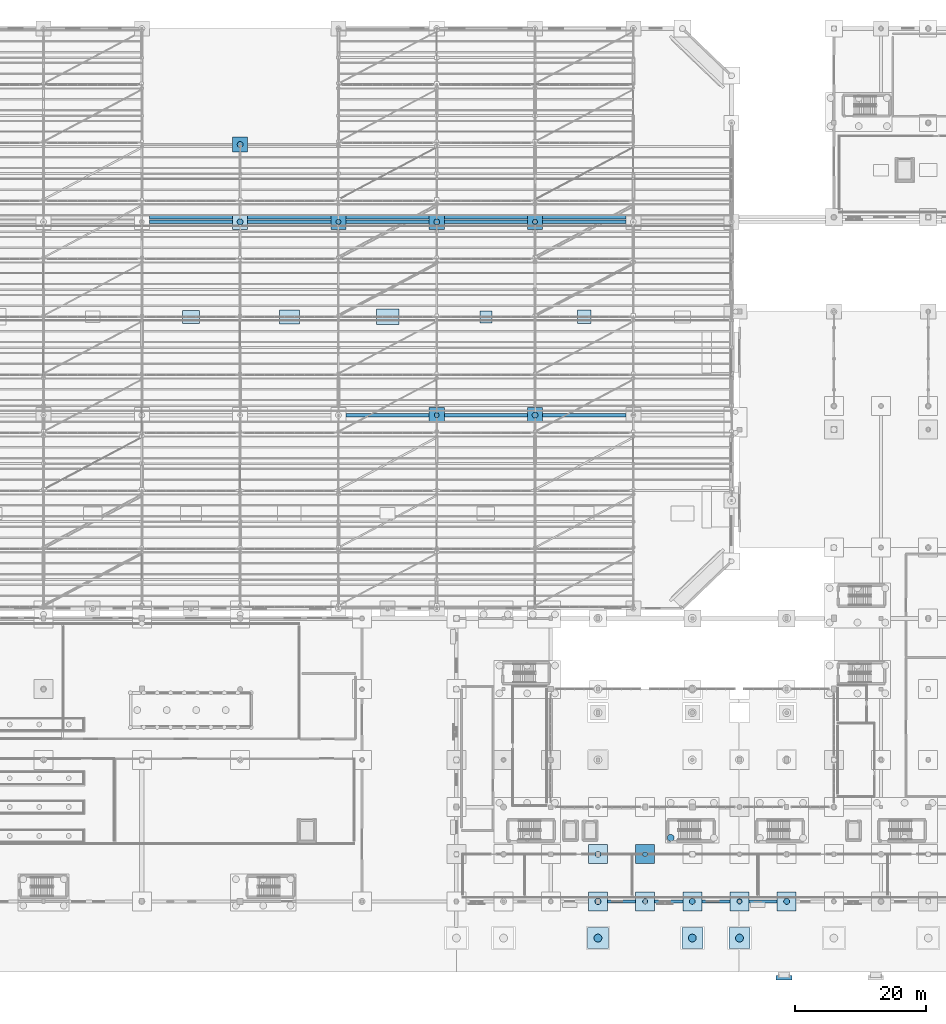
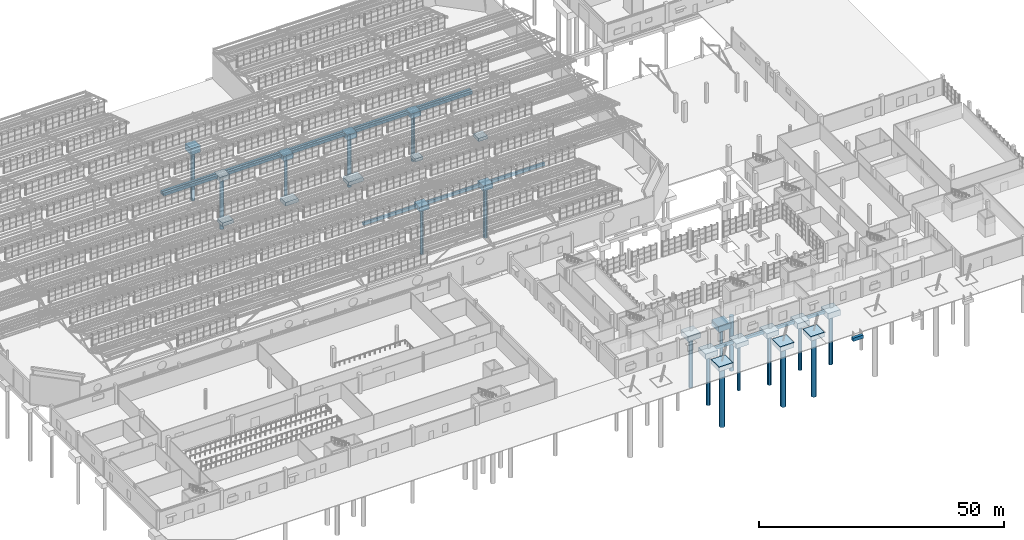
# One storey, part 5 of 285: 40 footings, 18 piles.
"""IFC4 building model written with IfcOpenShell, lengths in metres."""

from ifc_helpers import new_model, si_unit, direction, frame, origin, origin_2d, place, context, subcontext, project, spatial, polyline, circle, outline, extrude, material, material_profile, profile_set, type_object, element, save


model = new_model("IFC4")

# Units and contexts
model_context = context("Model", 3, precision=1e-05, world=origin(), true_north=direction((0.0, 1.0)))
body_context = subcontext(model_context, "Body", "Model", "MODEL_VIEW")
ifc_project = project(units=[si_unit("LENGTHUNIT", "METRE"), si_unit("AREAUNIT", "SQUARE_METRE"), si_unit("VOLUMEUNIT", "CUBIC_METRE"), si_unit("PLANEANGLEUNIT", "RADIAN"), si_unit("MASSUNIT", "GRAM", prefix="KILO")], contexts=[model_context])

# Site, building, storey
site_placement = place(None, origin())
site = spatial("IfcSite", under=ifc_project, at=site_placement, CompositionType="ELEMENT")
building_placement = place(site_placement, origin())
building = spatial("IfcBuilding", under=site, at=building_placement, Name="Solanera Park Tramway Depot", CompositionType="ELEMENT")
storey_placement = place(building_placement, origin())
storey = spatial("IfcBuildingStorey", under=building, at=storey_placement, Name="L00", CompositionType="ELEMENT", Elevation=0.0)

# Footings
ifc_material_1 = material(Name="Concrete N40 (C40/50)", Category="concrete")
footing_type_1 = type_object("IfcFootingType", Name="Bored Pile Cap PC-03 2900x2900x1100", PredefinedType="PILE_CAP", material=ifc_material_1)
footing_1_placement = place(storey_placement, frame((0.0, 0.0, -1.550048828125)))
element("IfcFooting", 1, at=footing_1_placement, inside=storey, type_object=footing_type_1, Name="Pile Cap PC-03 #164", PredefinedType="PILE_CAP", context=body_context, shape_type="SweptSolid", body=[
    extrude(outline(polyline([(76.14990234375, 113.35009765625), (76.14990234375, 115.64990234375), (73.85009765625, 115.64990234375), (73.85009765625, 113.35009765625), (76.14990234375, 113.35009765625)])), origin(), (0.0, 0.0, 1.0), 1.10009765625),
])
ifc_material_2 = material(Name="Concrete N40 (C40/50)", Category="concrete")
footing_type_2 = type_object("IfcFootingType", Name="Bored Pile Cap PC-04 3200x3200x1200", PredefinedType="PILE_CAP", material=ifc_material_2)
footing_2_placement = place(storey_placement, frame((0.0, 0.0, -1.199951171875)))
element("IfcFooting", 2, at=footing_2_placement, inside=storey, type_object=footing_type_2, Name="Pile Cap PC-04 #003", PredefinedType="PILE_CAP", context=body_context, shape_type="SweptSolid", body=[
    extrude(outline(polyline([(131.199951171875, 3.60693359375), (131.199951171875, 6.806884765625), (128.0, 6.806884765625), (128.0, 3.60693359375), (131.199951171875, 3.60693359375)])), origin(), (0.0, 0.0, 1.0), 1.199951171875),
])
footing_3_placement = place(storey_placement, frame((0.0, 0.0, -1.64990234375)))
element("IfcFooting", 3, at=footing_3_placement, inside=storey, type_object=footing_type_2, Name="Pile Cap PC-04 #147", PredefinedType="PILE_CAP", context=body_context, shape_type="SweptSolid", body=[
    extrude(outline(polyline([(106.14990234375, 83.85009765625), (106.14990234375, 86.14990234375), (103.85009765625, 86.14990234375), (103.85009765625, 83.85009765625), (106.14990234375, 83.85009765625)])), origin(), (0.0, 0.0, 1.0), 1.199951171875),
])
footing_4_placement = place(storey_placement, frame((0.0, 0.0, -1.64990234375)))
element("IfcFooting", 4, at=footing_4_placement, inside=storey, type_object=footing_type_2, Name="Pile Cap PC-04 #165", PredefinedType="PILE_CAP", context=body_context, shape_type="SweptSolid", body=[
    extrude(outline(polyline([(91.14990234375, 113.35009765625), (91.14990234375, 115.64990234375), (88.85009765625, 115.64990234375), (88.85009765625, 113.35009765625), (91.14990234375, 113.35009765625)])), origin(), (0.0, 0.0, 1.0), 1.199951171875),
])
ifc_material_3 = material(Name="Concrete N40 (C40/50)", Category="concrete")
footing_type_3 = type_object("IfcFootingType", Name="Bored Pile Cap PC-05 3500x3500x1300", PredefinedType="PILE_CAP", material=ifc_material_3)
footing_5_placement = place(storey_placement, frame((0.0, 0.0, -1.300048828125)))
element("IfcFooting", 5, at=footing_5_placement, inside=storey, type_object=footing_type_3, Name="Pile Cap PC-05 #004", PredefinedType="PILE_CAP", context=body_context, shape_type="SweptSolid", body=[
    extrude(outline(polyline([(145.60009765625, 3.60693359375), (145.60009765625, 6.806884765625), (142.39990234375, 6.806884765625), (142.39990234375, 3.60693359375), (145.60009765625, 3.60693359375)])), origin(), (0.0, 0.0, 1.0), 1.300048828125),
])
footing_6_placement = place(storey_placement, frame((0.0, 0.0, -1.64990234375)))
element("IfcFooting", 6, at=footing_6_placement, inside=storey, type_object=footing_type_3, Name="Pile Cap PC-05 #022", PredefinedType="PILE_CAP", context=body_context, shape_type="SweptSolid", body=[
    extrude(outline(polyline([(131.050048828125, 9.35009765625), (131.050048828125, 12.25), (128.14990234375, 12.25), (128.14990234375, 9.35009765625), (131.050048828125, 9.35009765625)])), origin(), (0.0, 0.0, 1.0), 1.2998046875),
])
footing_7_placement = place(storey_placement, frame((0.0, 0.0, -1.75)))
element("IfcFooting", 7, at=footing_7_placement, inside=storey, type_object=footing_type_3, Name="Pile Cap PC-05 #148", PredefinedType="PILE_CAP", context=body_context, shape_type="SweptSolid", body=[
    extrude(outline(polyline([(121.14990234375, 83.85009765625), (121.14990234375, 86.14990234375), (118.85009765625, 86.14990234375), (118.85009765625, 83.85009765625), (121.14990234375, 83.85009765625)])), origin(), (0.0, 0.0, 1.0), 1.300048828125),
])
footing_8_placement = place(storey_placement, frame((0.0, 0.0, -1.75)))
element("IfcFooting", 8, at=footing_8_placement, inside=storey, type_object=footing_type_3, Name="Pile Cap PC-05 #166", PredefinedType="PILE_CAP", context=body_context, shape_type="SweptSolid", body=[
    extrude(outline(polyline([(106.14990234375, 113.35009765625), (106.14990234375, 115.64990234375), (103.85009765625, 115.64990234375), (103.85009765625, 113.35009765625), (106.14990234375, 113.35009765625)])), origin(), (0.0, 0.0, 1.0), 1.300048828125),
])
ifc_material_4 = material(Name="Concrete N40 (C40/50)", Category="concrete")
footing_type_4 = type_object("IfcFootingType", Name="Bored Pile Cap PC-06 3800x2600x1150", PredefinedType="PILE_CAP", material=ifc_material_4)
footing_9_placement = place(storey_placement, frame((0.0, 0.0, -1.14990234375)))
element("IfcFooting", 9, at=footing_9_placement, inside=storey, type_object=footing_type_4, Name="Pile Cap PC-06 #005", PredefinedType="PILE_CAP", context=body_context, shape_type="SweptSolid", body=[
    extrude(outline(polyline([(152.800048828125, 3.60693359375), (152.800048828125, 6.806884765625), (149.60009765625, 6.806884765625), (149.60009765625, 3.60693359375), (152.800048828125, 3.60693359375)])), origin(), (0.0, 0.0, 1.0), 1.14990234375),
])
footing_10_placement = place(storey_placement, frame((0.0, 0.0, -1.5)))
element("IfcFooting", 10, at=footing_10_placement, inside=storey, type_object=footing_type_4, Name="Pile Cap PC-06 #023", PredefinedType="PILE_CAP", context=body_context, shape_type="SweptSolid", body=[
    extrude(outline(polyline([(138.25, 9.35009765625), (138.25, 12.25), (135.35009765625, 12.25), (135.35009765625, 9.35009765625), (138.25, 9.35009765625)])), origin(), (0.0, 0.0, 1.0), 1.14990234375),
])
footing_11_placement = place(storey_placement, frame((0.0, 0.0, -1.60009765625)))
element("IfcFooting", 11, at=footing_11_placement, inside=storey, type_object=footing_type_4, Name="Pile Cap PC-06 #167", PredefinedType="PILE_CAP", context=body_context, shape_type="SweptSolid", body=[
    extrude(outline(polyline([(121.14990234375, 113.35009765625), (121.14990234375, 115.64990234375), (118.85009765625, 115.64990234375), (118.85009765625, 113.35009765625), (121.14990234375, 113.35009765625)])), origin(), (0.0, 0.0, 1.0), 1.150146484375),
])
ifc_material_5 = material(Name="Concrete N40 (C40/50)", Category="concrete")
footing_type_5 = type_object("IfcFootingType", Name="Bored Pile Cap PC-07 4200x2900x1250", PredefinedType="PILE_CAP", material=ifc_material_5)
footing_12_placement = place(storey_placement, frame((0.0, 0.0, -1.60009765625)))
element("IfcFooting", 12, at=footing_12_placement, inside=storey, type_object=footing_type_5, Name="Pile Cap PC-07 #024", PredefinedType="PILE_CAP", context=body_context, shape_type="SweptSolid", body=[
    extrude(outline(polyline([(145.449951171875, 9.35009765625), (145.449951171875, 12.25), (142.550048828125, 12.25), (142.550048828125, 9.35009765625), (145.449951171875, 9.35009765625)])), origin(), (0.0, 0.0, 1.0), 1.25),
])
ifc_material_6 = material(Name="Concrete N40 (C40/50)", Category="concrete")
footing_type_6 = type_object("IfcFootingType", Name="Bored Pile Cap PC-08 4600x3200x1350", PredefinedType="PILE_CAP", material=ifc_material_6)
footing_13_placement = place(storey_placement, frame((0.0, 0.0, -1.699951171875)))
element("IfcFooting", 13, at=footing_13_placement, inside=storey, type_object=footing_type_6, Name="Pile Cap PC-08 #025", PredefinedType="PILE_CAP", context=body_context, shape_type="SweptSolid", body=[
    extrude(outline(polyline([(152.64990234375, 9.35009765625), (152.64990234375, 12.25), (149.75, 12.25), (149.75, 9.35009765625), (152.64990234375, 9.35009765625)])), origin(), (0.0, 0.0, 1.0), 1.349853515625),
])
ifc_material_7 = material(Name="Concrete N40 (C40/50)", Category="concrete")
footing_type_7 = type_object("IfcFootingType", Name="Bored Pile Cap PC-09 5200x3400x1400", PredefinedType="PILE_CAP", material=ifc_material_7)
footing_14_placement = place(storey_placement, frame((0.0, 0.0, -1.75)))
element("IfcFooting", 14, at=footing_14_placement, inside=storey, type_object=footing_type_7, Name="Pile Cap PC-09 #026", PredefinedType="PILE_CAP", context=body_context, shape_type="SweptSolid", body=[
    extrude(outline(polyline([(159.85009765625, 9.35009765625), (159.85009765625, 12.25), (156.949951171875, 12.25), (156.949951171875, 9.35009765625), (159.85009765625, 9.35009765625)])), origin(), (0.0, 0.0, 1.0), 1.39990234375),
])
ifc_material_8 = material(Name="Concrete N40 (C40/50)", Category="concrete")
footing_type_8 = type_object("IfcFootingType", Name="Bored Pile Cap PC-13 8400x4800x1600", PredefinedType="PILE_CAP", material=ifc_material_8)
footing_15_placement = place(storey_placement, frame((0.0, 0.0, -2.050048828125)))
element("IfcFooting", 15, at=footing_15_placement, inside=storey, type_object=footing_type_8, Name="Pile Cap PC-13 #174", PredefinedType="PILE_CAP", context=body_context, shape_type="SweptSolid", body=[
    extrude(outline(polyline([(76.14990234375, 125.14990234375), (76.14990234375, 127.449951171875), (73.85009765625, 127.449951171875), (73.85009765625, 125.14990234375), (76.14990234375, 125.14990234375)])), origin(), (0.0, 0.0, 1.0), 1.60009765625),
])
ifc_material_9 = material(Name="Concrete N40 (C40/50)", Category="concrete")
footing_type_9 = type_object("IfcFootingType", Name="Bored Pile Cap PC-17 4900x3100x1300", PredefinedType="PILE_CAP", material=ifc_material_9)
footing_16_placement = place(storey_placement, frame((0.0, 0.0, -1.64990234375)))
element("IfcFooting", 16, at=footing_16_placement, inside=storey, type_object=footing_type_9, Name="Pile Cap PC-17 #034", PredefinedType="PILE_CAP", context=body_context, shape_type="SweptSolid", body=[
    extrude(outline(polyline([(131.050048828125, 16.550048828125), (131.050048828125, 19.449951171875), (128.14990234375, 19.449951171875), (128.14990234375, 16.550048828125), (131.050048828125, 16.550048828125)])), origin(), (0.0, 0.0, 1.0), 1.2998046875),
])
ifc_material_10 = material(Name="Concrete N40 (C40/50)", Category="concrete")
footing_type_10 = type_object("IfcFootingType", Name="Bored Pile Cap PC-18 6200x3900x1480", PredefinedType="PILE_CAP", material=ifc_material_10)
footing_17_placement = place(storey_placement, frame((0.0, 0.0, -1.830078125)))
element("IfcFooting", 17, at=footing_17_placement, inside=storey, type_object=footing_type_10, Name="Pile Cap PC-18 #035", PredefinedType="PILE_CAP", context=body_context, shape_type="SweptSolid", body=[
    extrude(outline(polyline([(138.25, 16.550048828125), (138.25, 19.449951171875), (135.35009765625, 19.449951171875), (135.35009765625, 16.550048828125), (138.25, 16.550048828125)])), origin(), (0.0, 0.0, 1.0), 1.47998046875),
])
ifc_material_11 = material(Name="Concrete N40 (C40/50)", Category="concrete")
footing_type_11 = type_object("IfcFootingType", Name="Equipment Pad Footing PF-01 1800x1800x700", PredefinedType="PAD_FOOTING", material=ifc_material_11)
footing_18_placement = place(storey_placement, frame((0.0, 0.0, -1.14990234375)))
element("IfcFooting", 18, at=footing_18_placement, inside=storey, type_object=footing_type_11, Name="Equipment Pad Footing PF-01 #018", PredefinedType="PAD_FOOTING", context=body_context, shape_type="SweptSolid", body=[
    extrude(outline(polyline([(113.39990234375, 99.10009765625), (113.39990234375, 100.89990234375), (111.60009765625, 100.89990234375), (111.60009765625, 99.10009765625), (113.39990234375, 99.10009765625)])), origin(), (0.0, 0.0, 1.0), 0.699951171875),
])
ifc_material_12 = material(Name="Concrete N40 (C40/50)", Category="concrete")
footing_type_12 = type_object("IfcFootingType", Name="Equipment Pad Footing PF-02 2100x2100x750", PredefinedType="PAD_FOOTING", material=ifc_material_12)
footing_19_placement = place(storey_placement, frame((0.0, 0.0, -1.199951171875)))
element("IfcFooting", 19, at=footing_19_placement, inside=storey, type_object=footing_type_12, Name="Equipment Pad Footing PF-02 #019", PredefinedType="PAD_FOOTING", context=body_context, shape_type="SweptSolid", body=[
    extrude(outline(polyline([(128.550048828125, 98.949951171875), (128.550048828125, 101.050048828125), (126.449951171875, 101.050048828125), (126.449951171875, 98.949951171875), (128.550048828125, 98.949951171875)])), origin(), (0.0, 0.0, 1.0), 0.75),
])
ifc_material_13 = material(Name="Concrete N40 (C40/50)", Category="concrete")
footing_type_13 = type_object("IfcFootingType", Name="Equipment Pad Footing PF-03 2400x1800x800", PredefinedType="PAD_FOOTING", material=ifc_material_13)
footing_20_placement = place(storey_placement, frame((0.0, 0.0, -0.860107421875)))
element("IfcFooting", 20, at=footing_20_placement, inside=storey, type_object=footing_type_13, Name="Ramp Toe Pad Footing RMP-P03", PredefinedType="PAD_FOOTING", context=body_context, shape_type="SweptSolid", body=[
    extrude(outline(polyline([(156.800048828125, -1.18994140625), (159.199951171875, -1.18994140625), (159.199951171875, -0.489990234375), (156.800048828125, -0.489990234375), (156.800048828125, -1.18994140625)])), origin(), (0.0, 0.0, 1.0), 0.820068359375),
])
ifc_material_14 = material(Name="Concrete N40 (C40/50)", Category="concrete")
footing_type_14 = type_object("IfcFootingType", Name="Equipment Pad Footing PF-08 2650x1950x820", PredefinedType="PAD_FOOTING", material=ifc_material_14)
footing_21_placement = place(storey_placement, frame((0.0, 0.0, -1.27001953125)))
element("IfcFooting", 21, at=footing_21_placement, inside=storey, type_object=footing_type_14, Name="Equipment Pad Footing PF-08 #015", PredefinedType="PAD_FOOTING", context=body_context, shape_type="SweptSolid", body=[
    extrude(outline(polyline([(68.824951171875, 99.02490234375), (68.824951171875, 100.97509765625), (66.175048828125, 100.97509765625), (66.175048828125, 99.02490234375), (68.824951171875, 99.02490234375)])), origin(), (0.0, 0.0, 1.0), 0.820068359375),
])
ifc_material_15 = material(Name="Concrete N40 (C40/50)", Category="concrete")
footing_type_15 = type_object("IfcFootingType", Name="Equipment Pad Footing PF-09 3050x2150x880", PredefinedType="PAD_FOOTING", material=ifc_material_15)
footing_22_placement = place(storey_placement, frame((0.0, 0.0, -1.330078125)))
element("IfcFooting", 22, at=footing_22_placement, inside=storey, type_object=footing_type_15, Name="Equipment Pad Footing PF-09 #016", PredefinedType="PAD_FOOTING", context=body_context, shape_type="SweptSolid", body=[
    extrude(outline(polyline([(84.02490234375, 98.925048828125), (84.02490234375, 101.074951171875), (80.97509765625, 101.074951171875), (80.97509765625, 98.925048828125), (84.02490234375, 98.925048828125)])), origin(), (0.0, 0.0, 1.0), 0.880126953125),
])
ifc_material_16 = material(Name="Concrete N40 (C40/50)", Category="concrete")
footing_type_16 = type_object("IfcFootingType", Name="Equipment Pad Footing PF-10 3450x2350x920", PredefinedType="PAD_FOOTING", material=ifc_material_16)
footing_23_placement = place(storey_placement, frame((0.0, 0.0, -1.3701171875)))
element("IfcFooting", 23, at=footing_23_placement, inside=storey, type_object=footing_type_16, Name="Equipment Pad Footing PF-10 #017", PredefinedType="PAD_FOOTING", context=body_context, shape_type="SweptSolid", body=[
    extrude(outline(polyline([(99.22509765625, 98.824951171875), (99.22509765625, 101.175048828125), (95.77490234375, 101.175048828125), (95.77490234375, 98.824951171875), (99.22509765625, 98.824951171875)])), origin(), (0.0, 0.0, 1.0), 0.920166015625),
])
ifc_material_17 = material(Name="Concrete N40 (C40/50)", Category="concrete")
footing_type_17 = type_object("IfcFootingType", Name="Ground Tie Beam GB-01 500x700", PredefinedType="FOOTING_BEAM", material=ifc_material_17)
footing_24_placement = place(storey_placement, frame((0.0, 0.0, -1.050048828125)))
element("IfcFooting", 24, at=footing_24_placement, inside=storey, type_object=footing_type_17, Name="Ground Tie Beam GB-01 #011", PredefinedType="FOOTING_BEAM", context=body_context, shape_type="SweptSolid", body=[
    extrude(outline(polyline([(135.35009765625, 10.550048828125), (135.35009765625, 11.050048828125), (131.050048828125, 11.050048828125), (131.050048828125, 10.550048828125), (135.35009765625, 10.550048828125)])), origin(), (0.0, 0.0, 1.0), 0.699951171875),
])
footing_25_placement = place(storey_placement, frame((0.0, 0.0, -1.050048828125)))
element("IfcFooting", 25, at=footing_25_placement, inside=storey, type_object=footing_type_17, Name="Ground Tie Beam GB-01 #012", PredefinedType="FOOTING_BEAM", context=body_context, shape_type="SweptSolid", body=[
    extrude(outline(polyline([(142.550048828125, 10.550048828125), (142.550048828125, 11.050048828125), (138.25, 11.050048828125), (138.25, 10.550048828125), (142.550048828125, 10.550048828125)])), origin(), (0.0, 0.0, 1.0), 0.699951171875),
])
footing_26_placement = place(storey_placement, frame((0.0, 0.0, -1.050048828125)))
element("IfcFooting", 26, at=footing_26_placement, inside=storey, type_object=footing_type_17, Name="Ground Tie Beam GB-01 #013", PredefinedType="FOOTING_BEAM", context=body_context, shape_type="SweptSolid", body=[
    extrude(outline(polyline([(149.75, 10.550048828125), (149.75, 11.050048828125), (145.449951171875, 11.050048828125), (145.449951171875, 10.550048828125), (149.75, 10.550048828125)])), origin(), (0.0, 0.0, 1.0), 0.699951171875),
])
footing_27_placement = place(storey_placement, frame((0.0, 0.0, -1.050048828125)))
element("IfcFooting", 27, at=footing_27_placement, inside=storey, type_object=footing_type_17, Name="Ground Tie Beam GB-01 #014", PredefinedType="FOOTING_BEAM", context=body_context, shape_type="SweptSolid", body=[
    extrude(outline(polyline([(156.949951171875, 10.550048828125), (156.949951171875, 11.050048828125), (152.64990234375, 11.050048828125), (152.64990234375, 10.550048828125), (156.949951171875, 10.550048828125)])), origin(), (0.0, 0.0, 1.0), 0.699951171875),
])
footing_28_placement = place(storey_placement, frame((0.0, 0.0, -1.14990234375)))
element("IfcFooting", 28, at=footing_28_placement, inside=storey, type_object=footing_type_17, Name="Ground Tie Beam GB-01 #061", PredefinedType="FOOTING_BEAM", context=body_context, shape_type="SweptSolid", body=[
    extrude(outline(polyline([(103.85009765625, 84.75), (103.85009765625, 85.25), (91.14990234375, 85.25), (91.14990234375, 84.75), (103.85009765625, 84.75)])), origin(), (0.0, 0.0, 1.0), 0.699951171875),
])
footing_29_placement = place(storey_placement, frame((0.0, 0.0, -1.14990234375)))
element("IfcFooting", 29, at=footing_29_placement, inside=storey, type_object=footing_type_17, Name="Ground Tie Beam GB-01 #062", PredefinedType="FOOTING_BEAM", context=body_context, shape_type="SweptSolid", body=[
    extrude(outline(polyline([(118.85009765625, 84.75), (118.85009765625, 85.25), (106.14990234375, 85.25), (106.14990234375, 84.75), (118.85009765625, 84.75)])), origin(), (0.0, 0.0, 1.0), 0.699951171875),
])
footing_30_placement = place(storey_placement, frame((0.0, 0.0, -1.14990234375)))
element("IfcFooting", 30, at=footing_30_placement, inside=storey, type_object=footing_type_17, Name="Ground Tie Beam GB-01 #063", PredefinedType="FOOTING_BEAM", context=body_context, shape_type="SweptSolid", body=[
    extrude(outline(polyline([(133.85009765625, 84.75), (133.85009765625, 85.25), (121.14990234375, 85.25), (121.14990234375, 84.75), (133.85009765625, 84.75)])), origin(), (0.0, 0.0, 1.0), 0.699951171875),
])
ifc_material_18 = material(Name="Concrete N40 (C40/50)", Category="concrete")
footing_type_18 = type_object("IfcFootingType", Name="Ground Tie Beam GB-02 550x750", PredefinedType="FOOTING_BEAM", material=ifc_material_18)
footing_31_placement = place(storey_placement, frame((0.0, 0.0, -1.199951171875)))
element("IfcFooting", 31, at=footing_31_placement, inside=storey, type_object=footing_type_18, Name="Ground Tie Beam GB-02 #069", PredefinedType="FOOTING_BEAM", context=body_context, shape_type="SweptSolid", body=[
    extrude(outline(polyline([(73.85009765625, 114.22509765625), (73.85009765625, 114.77490234375), (61.14990234375, 114.77490234375), (61.14990234375, 114.22509765625), (73.85009765625, 114.22509765625)])), origin(), (0.0, 0.0, 1.0), 0.75),
])
footing_32_placement = place(storey_placement, frame((0.0, 0.0, -1.199951171875)))
element("IfcFooting", 32, at=footing_32_placement, inside=storey, type_object=footing_type_18, Name="Ground Tie Beam GB-02 #070", PredefinedType="FOOTING_BEAM", context=body_context, shape_type="SweptSolid", body=[
    extrude(outline(polyline([(88.85009765625, 114.22509765625), (88.85009765625, 114.77490234375), (76.14990234375, 114.77490234375), (76.14990234375, 114.22509765625), (88.85009765625, 114.22509765625)])), origin(), (0.0, 0.0, 1.0), 0.75),
])
footing_33_placement = place(storey_placement, frame((0.0, 0.0, -1.199951171875)))
element("IfcFooting", 33, at=footing_33_placement, inside=storey, type_object=footing_type_18, Name="Ground Tie Beam GB-02 #071", PredefinedType="FOOTING_BEAM", context=body_context, shape_type="SweptSolid", body=[
    extrude(outline(polyline([(103.85009765625, 114.22509765625), (103.85009765625, 114.77490234375), (91.14990234375, 114.77490234375), (91.14990234375, 114.22509765625), (103.85009765625, 114.22509765625)])), origin(), (0.0, 0.0, 1.0), 0.75),
])
footing_34_placement = place(storey_placement, frame((0.0, 0.0, -1.199951171875)))
element("IfcFooting", 34, at=footing_34_placement, inside=storey, type_object=footing_type_18, Name="Ground Tie Beam GB-02 #072", PredefinedType="FOOTING_BEAM", context=body_context, shape_type="SweptSolid", body=[
    extrude(outline(polyline([(118.85009765625, 114.22509765625), (118.85009765625, 114.77490234375), (106.14990234375, 114.77490234375), (106.14990234375, 114.22509765625), (118.85009765625, 114.22509765625)])), origin(), (0.0, 0.0, 1.0), 0.75),
])
footing_35_placement = place(storey_placement, frame((0.0, 0.0, -1.199951171875)))
element("IfcFooting", 35, at=footing_35_placement, inside=storey, type_object=footing_type_18, Name="Ground Tie Beam GB-02 #073", PredefinedType="FOOTING_BEAM", context=body_context, shape_type="SweptSolid", body=[
    extrude(outline(polyline([(133.85009765625, 114.22509765625), (133.85009765625, 114.77490234375), (121.14990234375, 114.77490234375), (121.14990234375, 114.22509765625), (133.85009765625, 114.22509765625)])), origin(), (0.0, 0.0, 1.0), 0.75),
])
ifc_material_19 = material(Name="Concrete N40 (C40/50)", Category="concrete")
footing_type_19 = type_object("IfcFootingType", Name="Ground Tie Beam GB-03 600x800", PredefinedType="FOOTING_BEAM", material=ifc_material_19)
footing_36_placement = place(storey_placement, frame((0.0, 0.0, -1.25)))
element("IfcFooting", 36, at=footing_36_placement, inside=storey, type_object=footing_type_19, Name="Ground Tie Beam GB-03 #082", PredefinedType="FOOTING_BEAM", context=body_context, shape_type="SweptSolid", body=[
    extrude(outline(polyline([(73.85009765625, 114.89990234375), (73.85009765625, 115.5), (61.14990234375, 115.5), (61.14990234375, 114.89990234375), (73.85009765625, 114.89990234375)])), origin(), (0.0, 0.0, 1.0), 0.800048828125),
])
footing_37_placement = place(storey_placement, frame((0.0, 0.0, -1.25)))
element("IfcFooting", 37, at=footing_37_placement, inside=storey, type_object=footing_type_19, Name="Ground Tie Beam GB-03 #083", PredefinedType="FOOTING_BEAM", context=body_context, shape_type="SweptSolid", body=[
    extrude(outline(polyline([(88.85009765625, 114.89990234375), (88.85009765625, 115.5), (76.14990234375, 115.5), (76.14990234375, 114.89990234375), (88.85009765625, 114.89990234375)])), origin(), (0.0, 0.0, 1.0), 0.800048828125),
])
footing_38_placement = place(storey_placement, frame((0.0, 0.0, -1.25)))
element("IfcFooting", 38, at=footing_38_placement, inside=storey, type_object=footing_type_19, Name="Ground Tie Beam GB-03 #084", PredefinedType="FOOTING_BEAM", context=body_context, shape_type="SweptSolid", body=[
    extrude(outline(polyline([(103.85009765625, 114.89990234375), (103.85009765625, 115.5), (91.14990234375, 115.5), (91.14990234375, 114.89990234375), (103.85009765625, 114.89990234375)])), origin(), (0.0, 0.0, 1.0), 0.800048828125),
])
footing_39_placement = place(storey_placement, frame((0.0, 0.0, -1.25)))
element("IfcFooting", 39, at=footing_39_placement, inside=storey, type_object=footing_type_19, Name="Ground Tie Beam GB-03 #085", PredefinedType="FOOTING_BEAM", context=body_context, shape_type="SweptSolid", body=[
    extrude(outline(polyline([(118.85009765625, 114.89990234375), (118.85009765625, 115.5), (106.14990234375, 115.5), (106.14990234375, 114.89990234375), (118.85009765625, 114.89990234375)])), origin(), (0.0, 0.0, 1.0), 0.800048828125),
])
footing_40_placement = place(storey_placement, frame((0.0, 0.0, -1.25)))
element("IfcFooting", 40, at=footing_40_placement, inside=storey, type_object=footing_type_19, Name="Ground Tie Beam GB-03 #086", PredefinedType="FOOTING_BEAM", context=body_context, shape_type="SweptSolid", body=[
    extrude(outline(polyline([(133.85009765625, 114.89990234375), (133.85009765625, 115.5), (121.14990234375, 115.5), (121.14990234375, 114.89990234375), (133.85009765625, 114.89990234375)])), origin(), (0.0, 0.0, 1.0), 0.800048828125),
])

# Piles
ifc_material_20 = material(Name="Concrete N40 (C40/50)", Category="concrete")
ifc_material_profile_1 = material_profile(ifc_material_20, circle(Radius=0.52490234375, at=origin_2d()), Name="BORED PILE 1050")
ifc_profile_set_1 = profile_set([ifc_material_profile_1], Name="Concrete N40 (C40/50)")
pile_type_1 = type_object("IfcPileType", Name="Rock Socketed BORED PILE 1050", PredefinedType="BORED", material=ifc_profile_set_1)
pile_1_placement = place(storey_placement, frame((140.705078125, 20.5048828125, -1.85009765625), z_axis=(0.0, 0.0, -1.0), x_axis=(1.0, 0.0, 0.0)))
element("IfcPile", 41, at=pile_1_placement, inside=storey, type_object=pile_type_1, Name="Bored Pile BORED PILE 1050 #0059", PredefinedType="BORED", context=body_context, shape_type="SweptSolid", body=[
    extrude(circle(Radius=0.52490234375, at=origin_2d()), origin(), (0.0, 0.0, 1.0), 13.550048828125),
])
ifc_material_21 = material(Name="Concrete N50 (C50/60)", Category="concrete")
ifc_material_profile_2 = material_profile(ifc_material_21, circle(Radius=0.60009765625, at=origin_2d()), Name="BORED PILE 1200")
ifc_profile_set_2 = profile_set([ifc_material_profile_2], Name="Concrete N50 (C50/60)")
pile_type_2 = type_object("IfcPileType", Name="Rock Socketed BORED PILE 1200", PredefinedType="BORED", material=ifc_profile_set_2)
pile_2_placement = place(storey_placement, frame((129.60009765625, 5.20703125, -1.10009765625), z_axis=(0.0, 0.0, -1.0), x_axis=(1.0, 0.0, 0.0)))
element("IfcPile", 42, at=pile_2_placement, inside=storey, type_object=pile_type_2, Name="Bored Pile BORED PILE 1200 #0003", PredefinedType="BORED", context=body_context, shape_type="SweptSolid", body=[
    extrude(circle(Radius=0.60009765625, at=origin_2d()), origin(), (0.0, 0.0, 1.0), 15.10009765625),
])
pile_3_placement = place(storey_placement, frame((144.0, 5.20703125, -1.199951171875), z_axis=(0.0, 0.0, -1.0), x_axis=(1.0, 0.0, 0.0)))
element("IfcPile", 43, at=pile_3_placement, inside=storey, type_object=pile_type_2, Name="Bored Pile BORED PILE 1200 #0004", PredefinedType="BORED", context=body_context, shape_type="SweptSolid", body=[
    extrude(circle(Radius=0.60009765625, at=origin_2d()), origin(), (0.0, 0.0, 1.0), 15.0),
])
pile_4_placement = place(storey_placement, frame((151.199951171875, 5.20703125, -1.050048828125), z_axis=(0.0, 0.0, -1.0), x_axis=(1.0, 0.0, 0.0)))
element("IfcPile", 44, at=pile_4_placement, inside=storey, type_object=pile_type_2, Name="Bored Pile BORED PILE 1200 #0005", PredefinedType="BORED", context=body_context, shape_type="SweptSolid", body=[
    extrude(circle(Radius=0.60009765625, at=origin_2d()), origin(), (0.0, 0.0, 1.0), 15.14990234375),
])
ifc_material_22 = material(Name="Concrete N40 (C40/50)", Category="concrete")
ifc_material_profile_3 = material_profile(ifc_material_22, circle(Radius=0.375, at=origin_2d()), Name="BORED PILE 750")
ifc_profile_set_3 = profile_set([ifc_material_profile_3], Name="Concrete N40 (C40/50)")
pile_type_3 = type_object("IfcPileType", Name="Rock Socketed BORED PILE 750", PredefinedType="BORED", material=ifc_profile_set_3)
pile_5_placement = place(storey_placement, frame((136.800048828125, 10.800048828125, -1.39990234375), z_axis=(0.0, 0.0, -1.0), x_axis=(1.0, 0.0, 0.0)))
element("IfcPile", 45, at=pile_5_placement, inside=storey, type_object=pile_type_3, Name="Bored Pile BORED PILE 750 #0035", PredefinedType="BORED", context=body_context, shape_type="SweptSolid", body=[
    extrude(circle(Radius=0.375, at=origin_2d()), origin(), (0.0, 0.0, 1.0), 11.699951171875),
])
pile_6_placement = place(storey_placement, frame((151.199951171875, 10.800048828125, -1.60009765625), z_axis=(0.0, 0.0, -1.0), x_axis=(1.0, 0.0, 0.0)))
element("IfcPile", 46, at=pile_6_placement, inside=storey, type_object=pile_type_3, Name="Bored Pile BORED PILE 750 #0037", PredefinedType="BORED", context=body_context, shape_type="SweptSolid", body=[
    extrude(circle(Radius=0.375, at=origin_2d()), origin(), (0.0, 0.0, 1.0), 11.5),
])
pile_7_placement = place(storey_placement, frame((136.800048828125, 18.0, -1.72998046875), z_axis=(0.0, 0.0, -1.0), x_axis=(1.0, 0.0, 0.0)))
element("IfcPile", 47, at=pile_7_placement, inside=storey, type_object=pile_type_3, Name="Bored Pile BORED PILE 750 #0047", PredefinedType="BORED", context=body_context, shape_type="SweptSolid", body=[
    extrude(circle(Radius=0.375, at=origin_2d()), origin(), (0.0, 0.0, 1.0), 11.3701171875),
])
for number, where, z_axis, x_axis, name in (
    (48, (105.0, 85.0, -1.550048828125), (0.0, 0.0, -1.0), (1.0, 0.0, 0.0), "Bored Pile BORED PILE 750 #0191"),
    (49, (90.0, 114.5, -1.550048828125), (0.0, 0.0, -1.0), (1.0, 0.0, 0.0), "Bored Pile BORED PILE 750 #0209"),
):
    element("IfcPile", number, at=place(storey_placement, frame(where, z_axis=z_axis, x_axis=x_axis)), inside=storey, type_object=pile_type_3, Name=name, PredefinedType="BORED", context=body_context, shape_type="SweptSolid", body=[
        extrude(circle(Radius=0.375, at=origin_2d()), origin(), (0.0, 0.0, 1.0), 11.550048828125),
    ])
pile_8_placement = place(storey_placement, frame((120.0, 114.5, -1.5), z_axis=(0.0, 0.0, -1.0), x_axis=(1.0, 0.0, 0.0)))
element("IfcPile", 50, at=pile_8_placement, inside=storey, type_object=pile_type_3, Name="Bored Pile BORED PILE 750 #0211", PredefinedType="BORED", context=body_context, shape_type="SweptSolid", body=[
    extrude(circle(Radius=0.375, at=origin_2d()), origin(), (0.0, 0.0, 1.0), 11.60009765625),
])
ifc_material_23 = material(Name="Concrete N40 (C40/50)", Category="concrete")
ifc_material_profile_4 = material_profile(ifc_material_23, circle(Radius=0.449951171875, at=origin_2d()), Name="BORED PILE 900")
ifc_profile_set_4 = profile_set([ifc_material_profile_4], Name="Concrete N40 (C40/50)")
pile_type_4 = type_object("IfcPileType", Name="Rock Socketed BORED PILE 900", PredefinedType="BORED", material=ifc_profile_set_4)
pile_9_placement = place(storey_placement, frame((129.60009765625, 10.800048828125, -1.550048828125), z_axis=(0.0, 0.0, -1.0), x_axis=(1.0, 0.0, 0.0)))
element("IfcPile", 51, at=pile_9_placement, inside=storey, type_object=pile_type_4, Name="Bored Pile BORED PILE 900 #0034", PredefinedType="BORED", context=body_context, shape_type="SweptSolid", body=[
    extrude(circle(Radius=0.449951171875, at=origin_2d()), origin(), (0.0, 0.0, 1.0), 12.64990234375),
])
pile_10_placement = place(storey_placement, frame((144.0, 10.800048828125, -1.5), z_axis=(0.0, 0.0, -1.0), x_axis=(1.0, 0.0, 0.0)))
element("IfcPile", 52, at=pile_10_placement, inside=storey, type_object=pile_type_4, Name="Bored Pile BORED PILE 900 #0036", PredefinedType="BORED", context=body_context, shape_type="SweptSolid", body=[
    extrude(circle(Radius=0.449951171875, at=origin_2d()), origin(), (0.0, 0.0, 1.0), 12.699951171875),
])
pile_11_placement = place(storey_placement, frame((158.39990234375, 10.800048828125, -1.64990234375), z_axis=(0.0, 0.0, -1.0), x_axis=(1.0, 0.0, 0.0)))
element("IfcPile", 53, at=pile_11_placement, inside=storey, type_object=pile_type_4, Name="Bored Pile BORED PILE 900 #0038", PredefinedType="BORED", context=body_context, shape_type="SweptSolid", body=[
    extrude(circle(Radius=0.449951171875, at=origin_2d()), origin(), (0.0, 0.0, 1.0), 12.550048828125),
])
pile_12_placement = place(storey_placement, frame((129.60009765625, 18.0, -1.550048828125), z_axis=(0.0, 0.0, -1.0), x_axis=(1.0, 0.0, 0.0)))
element("IfcPile", 54, at=pile_12_placement, inside=storey, type_object=pile_type_4, Name="Bored Pile BORED PILE 900 #0046", PredefinedType="BORED", context=body_context, shape_type="SweptSolid", body=[
    extrude(circle(Radius=0.449951171875, at=origin_2d()), origin(), (0.0, 0.0, 1.0), 12.64990234375),
])
pile_13_placement = place(storey_placement, frame((120.0, 85.0, -1.64990234375), z_axis=(0.0, 0.0, -1.0), x_axis=(1.0, 0.0, 0.0)))
element("IfcPile", 55, at=pile_13_placement, inside=storey, type_object=pile_type_4, Name="Bored Pile BORED PILE 900 #0192", PredefinedType="BORED", context=body_context, shape_type="SweptSolid", body=[
    extrude(circle(Radius=0.449951171875, at=origin_2d()), origin(), (0.0, 0.0, 1.0), 12.550048828125),
])
pile_14_placement = place(storey_placement, frame((75.0, 114.5, -1.449951171875), z_axis=(0.0, 0.0, -1.0), x_axis=(1.0, 0.0, 0.0)))
element("IfcPile", 56, at=pile_14_placement, inside=storey, type_object=pile_type_4, Name="Bored Pile BORED PILE 900 #0208", PredefinedType="BORED", context=body_context, shape_type="SweptSolid", body=[
    extrude(circle(Radius=0.449951171875, at=origin_2d()), origin(), (0.0, 0.0, 1.0), 12.75),
])
pile_15_placement = place(storey_placement, frame((105.0, 114.5, -1.64990234375), z_axis=(0.0, 0.0, -1.0), x_axis=(1.0, 0.0, 0.0)))
element("IfcPile", 57, at=pile_15_placement, inside=storey, type_object=pile_type_4, Name="Bored Pile BORED PILE 900 #0210", PredefinedType="BORED", context=body_context, shape_type="SweptSolid", body=[
    extrude(circle(Radius=0.449951171875, at=origin_2d()), origin(), (0.0, 0.0, 1.0), 12.550048828125),
])
pile_16_placement = place(storey_placement, frame((75.0, 126.300048828125, -1.949951171875), z_axis=(0.0, 0.0, -1.0), x_axis=(1.0, 0.0, 0.0)))
element("IfcPile", 58, at=pile_16_placement, inside=storey, type_object=pile_type_4, Name="Bored Pile BORED PILE 900 #0218", PredefinedType="BORED", context=body_context, shape_type="SweptSolid", body=[
    extrude(circle(Radius=0.449951171875, at=origin_2d()), origin(), (0.0, 0.0, 1.0), 12.25),
])

save(model, "model.ifc")
